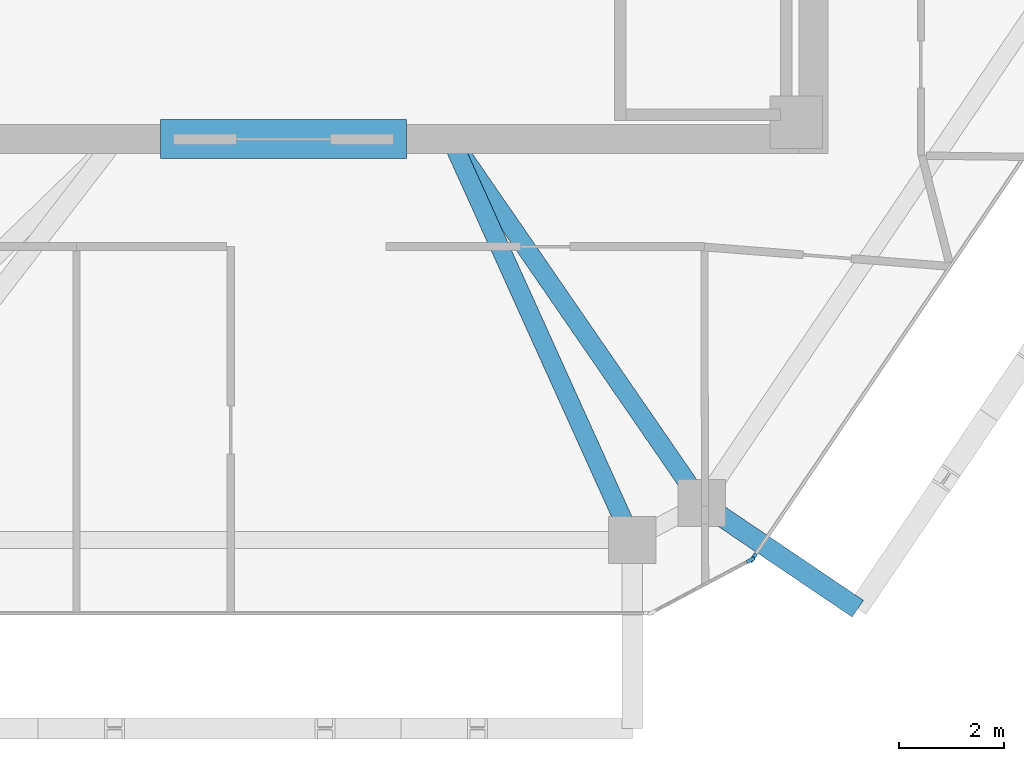
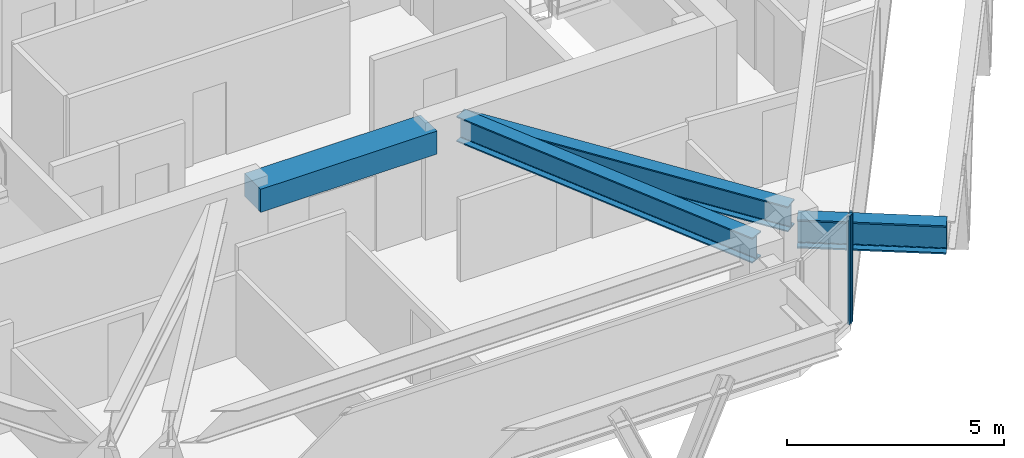
# One storey, part 3 of 11: 4 beams, 2 members, 2 elements without a shape of their own.
"""IFC4 building model written with IfcOpenShell, lengths in metres."""

from ifc_helpers import new_model, si_unit, direction, frame, origin, origin_2d, place, context, subcontext, project, spatial, rectangle, i_section, extrude, source, transform, mapped, material, layer, layer_set, material_profile, profile_set, type_object, type_shapes, element, aggregate, save


model = new_model("IFC4")

# Units and contexts
model_context = context("Model", 3, precision=1e-05, world=origin(), true_north=direction((0.0, 1.0)))
body_context = subcontext(model_context, "Body", "Model", "MODEL_VIEW")
ifc_project = project(units=[si_unit("LENGTHUNIT", "METRE"), si_unit("AREAUNIT", "SQUARE_METRE"), si_unit("VOLUMEUNIT", "CUBIC_METRE"), si_unit("PLANEANGLEUNIT", "RADIAN"), si_unit("MASSUNIT", "GRAM", prefix="KILO")], contexts=[model_context])

# Site, building, storey
site_placement = place(None, origin())
site = spatial("IfcSite", under=ifc_project, at=site_placement, CompositionType="ELEMENT")
building_placement = place(site_placement, origin())
building = spatial("IfcBuilding", under=site, at=building_placement, Name="Durnholm Broadcast Tower", CompositionType="ELEMENT")
storey_placement = place(building_placement, frame((0.0, 0.0, 231.5)))
storey = spatial("IfcBuildingStorey", under=building, at=storey_placement, Name="L64", CompositionType="ELEMENT", Elevation=231.5)

# Beams
ifc_material_1 = material(Name="Concrete C70/85", Category="concrete")
ifc_material_profile_1 = material_profile(ifc_material_1, rectangle(XDim=0.75, YDim=0.64990234375, at=origin_2d()), Name="RC750X650")
ifc_profile_set_1 = profile_set([ifc_material_profile_1], Name="Concrete C70/85")
beam_type_1 = type_object("IfcBeamType", Name="BM-CB-RC650", PredefinedType="LINTEL", material=ifc_profile_set_1)
shared_shape_1 = source(origin(), body_context, "Body", "SweptSolid", [
    extrude(rectangle(XDim=0.75, YDim=0.64990234375, at=origin_2d()), origin(), (0.0, 0.0, 1.0), 4.7001953125),
])
type_shapes(beam_type_1, [shared_shape_1])
beam_1_placement = place(storey_placement, frame((-2.35009765625, -8.125, 2.72998046875), z_axis=(1.0, 0.0, 0.0), x_axis=(0.0, 1.0, 0.0)))
element("IfcBeam", 1, at=beam_1_placement, inside=storey, type_object=beam_type_1, Name="L64 south core coupling lintel beam CB-S", PredefinedType="LINTEL", context=body_context, shape_type="MappedRepresentation", body=[
    mapped(shared_shape_1, transform((0.0, 0.0, 0.0), x_axis=(1.0, 0.0, 0.0), y_axis=(0.0, 1.0, 0.0), z_axis=(0.0, 0.0, 1.0), scale=1.0)),
])
ifc_material_2 = material(Name="Steel ASTM A992 Grade 50", Category="steel")
ifc_material_profile_2 = material_profile(ifc_material_2, i_section(OverallWidth=0.385009765625, OverallDepth=0.802978515625, WebThickness=0.023681640625, FlangeThickness=0.0419921875, FilletRadius=0.032958984375, at=origin_2d()), Name="W30X261")
ifc_profile_set_2 = profile_set([ifc_material_profile_2], Name="Steel ASTM A992 Grade 50")
beam_type_2 = type_object("IfcBeamType", Name="BM-EXO-TIE", PredefinedType="USERDEFINED", material=ifc_profile_set_2)
shared_shape_2 = source(origin(), body_context, "Body", "SweptSolid", [
    extrude(i_section(OverallWidth=0.385009765625, OverallDepth=0.802978515625, WebThickness=0.023681640625, FlangeThickness=0.0419921875, FilletRadius=0.032958984375, at=origin_2d()), origin(), (0.0, 0.0, 1.0), 3.4560546875),
])
type_shapes(beam_type_2, [shared_shape_2])
beam_2_placement = place(storey_placement, frame((8.110107421875, -15.161865234375, 2.30859375), z_axis=(0.828468499792, -0.560035663911, 0.0), x_axis=(0.560035663911, 0.828468499792, 0.0)))
element("IfcBeam", 2, at=beam_2_placement, inside=storey, type_object=beam_type_2, Name="L64 exoskeleton stand-off tie bracket F2.1", ObjectType="GIRDER", PredefinedType="USERDEFINED", context=body_context, shape_type="MappedRepresentation", body=[
    mapped(shared_shape_2, transform((0.0, 0.0, 0.0), x_axis=(1.0, 0.0, 0.0), y_axis=(0.0, 1.0, 0.0), z_axis=(0.0, 0.0, 1.0), scale=1.0)),
])
ifc_material_profile_3 = material_profile(ifc_material_2, i_section(OverallWidth=0.3564453125, OverallDepth=0.713623046875, WebThickness=0.01904296875, FlangeThickness=0.033935546875, FilletRadius=0.030517578125, at=origin_2d()), Name="W27X194")
ifc_profile_set_3 = profile_set([ifc_material_profile_3], Name="Steel ASTM A992 Grade 50")
beam_type_3 = type_object("IfcBeamType", Name="STL-GR-W27X194", PredefinedType="USERDEFINED", material=ifc_profile_set_3)
shared_shape_3 = source(origin(), body_context, "Body", "SweptSolid", [
    extrude(i_section(OverallWidth=0.3564453125, OverallDepth=0.713623046875, WebThickness=0.01904296875, FlangeThickness=0.033935546875, FilletRadius=0.030517578125, at=origin_2d()), origin(), (0.0, 0.0, 1.0), 8.446533203125),
])
beam_3_placement = place(storey_placement, frame((3.199951171875, -8.125, 2.688232421875), z_axis=(0.567216806915, -0.823568511997, 0.0), x_axis=(0.823568511997, 0.567216806915, 0.0)))
element("IfcBeam", 3, at=beam_3_placement, inside=storey, type_object=beam_type_3, Name="L64 radial primary floor girder 10", ObjectType="GIRDER", PredefinedType="USERDEFINED", context=body_context, shape_type="MappedRepresentation", body=[
    mapped(shared_shape_3, transform((0.0, 0.0, 0.0), x_axis=(1.0, 0.0, 0.0), y_axis=(0.0, 1.0, 0.0), z_axis=(0.0, 0.0, 1.0), scale=1.0)),
])
shared_shape_4 = source(origin(), body_context, "Body", "SweptSolid", [
    extrude(i_section(OverallWidth=0.3564453125, OverallDepth=0.713623046875, WebThickness=0.01904296875, FlangeThickness=0.033935546875, FilletRadius=0.030517578125, at=origin_2d()), origin(), (0.0, 0.0, 1.0), 8.407470703125),
])
type_shapes(beam_type_3, [shared_shape_3, shared_shape_4])
beam_4_placement = place(storey_placement, frame((3.199951171875, -8.125, 2.688232421875), z_axis=(0.411992813642, -0.911187094678, 0.0), x_axis=(0.911187094678, 0.411992813642, 0.0)))
element("IfcBeam", 4, at=beam_4_placement, inside=storey, type_object=beam_type_3, Name="L64 radial primary floor girder 11", ObjectType="GIRDER", PredefinedType="USERDEFINED", context=body_context, shape_type="MappedRepresentation", body=[
    mapped(shared_shape_4, transform((0.0, 0.0, 0.0), x_axis=(1.0, 0.0, 0.0), y_axis=(0.0, 1.0, 0.0), z_axis=(0.0, 0.0, 1.0), scale=1.0)),
])

# Curtain wall, member
ifc_material_3 = material(Name="Aluminium and Solar Control IGU", Category="aluminium")
ifc_layer_1 = layer(ifc_material_3, 0.1650390625)
ifc_layer_set_1 = layer_set([ifc_layer_1], Name="Aluminium and Solar Control IGU")
curtain_wall_type_1 = type_object("IfcCurtainWallType", Name="CW-SYS-5", PredefinedType="NOTDEFINED", material=ifc_layer_set_1)
curtain_wall_1_placement = place(storey_placement, origin())
curtain_wall_1 = element("IfcCurtainWall", 5, at=curtain_wall_1_placement, inside=storey, type_object=curtain_wall_type_1, Name="L64 curtain wall CW-CORNER CW-L64-CRN-09", PredefinedType="NOTDEFINED")
ifc_material_4 = material(Name="Aluminium 6063-T6", Category="aluminium")
ifc_material_profile_4 = material_profile(ifc_material_4, rectangle(XDim=0.06494140625, YDim=0.1650390625, at=origin_2d()), Name="CWM65X165")
ifc_profile_set_4 = profile_set([ifc_material_profile_4], Name="Aluminium 6063-T6")
member_type_1 = type_object("IfcMemberType", Name="CW-SYS-5-MUL", PredefinedType="MULLION", material=ifc_profile_set_4)
shared_shape_5 = source(origin(), body_context, "Body", "SweptSolid", [
    extrude(rectangle(XDim=0.06494140625, YDim=0.1650390625, at=origin_2d()), origin(), (0.0, 0.0, 1.0), 3.06005859375),
])
type_shapes(member_type_1, [shared_shape_5])
member_1_placement = place(storey_placement, frame((8.9267578125, -16.16943359375, 0.0), z_axis=(0.0, 0.0, 1.0), x_axis=(0.469006771575, -0.883194569853, 0.0)))
member_1 = element("IfcMember", 6, at=member_1_placement, type_object=member_type_1, Name="CW-CORNER mullion 1", PredefinedType="MULLION", context=body_context, shape_type="MappedRepresentation", body=[
    mapped(shared_shape_5, transform((0.0, 0.0, 0.0), x_axis=(1.0, 0.0, 0.0), y_axis=(0.0, 1.0, 0.0), z_axis=(0.0, 0.0, 1.0), scale=1.0)),
])
aggregate(curtain_wall_1, [member_1])

ifc_layer_2 = layer(ifc_material_3, 0.18994140625)
ifc_layer_set_2 = layer_set([ifc_layer_2], Name="Aluminium and Solar Control IGU")
curtain_wall_type_2 = type_object("IfcCurtainWallType", Name="CW-SYS-4", PredefinedType="NOTDEFINED", material=ifc_layer_set_2)
curtain_wall_2_placement = place(storey_placement, origin())
curtain_wall_2 = element("IfcCurtainWall", 7, at=curtain_wall_2_placement, inside=storey, type_object=curtain_wall_type_2, Name="L64 curtain wall CW-Z34-VIS CW-L64-F08", PredefinedType="NOTDEFINED")
ifc_material_profile_5 = material_profile(ifc_material_4, rectangle(XDim=0.070068359375, YDim=0.18994140625, at=origin_2d()), Name="CWM70X190")
ifc_profile_set_5 = profile_set([ifc_material_profile_5], Name="Aluminium 6063-T6")
member_type_2 = type_object("IfcMemberType", Name="CW-SYS-4-MUL", PredefinedType="MULLION", material=ifc_profile_set_5)
shared_shape_6 = source(origin(), body_context, "Body", "SweptSolid", [
    extrude(rectangle(XDim=0.070068359375, YDim=0.18994140625, at=origin_2d()), origin(), (0.0, 0.0, 1.0), 3.06005859375),
])
type_shapes(member_type_2, [shared_shape_6])
member_2_placement = place(storey_placement, frame((8.97509765625, -16.125244140625, 0.0), z_axis=(0.0, 0.0, 1.0), x_axis=(0.828443431662, -0.560072745753, 0.0)))
member_2 = element("IfcMember", 8, at=member_2_placement, type_object=member_type_2, Name="CW-Z34-VIS mullion 2", PredefinedType="MULLION", context=body_context, shape_type="MappedRepresentation", body=[
    mapped(shared_shape_6, transform((0.0, 0.0, 0.0), x_axis=(1.0, 0.0, 0.0), y_axis=(0.0, 1.0, 0.0), z_axis=(0.0, 0.0, 1.0), scale=1.0)),
])
aggregate(curtain_wall_2, [member_2])

save(model, "model.ifc")
